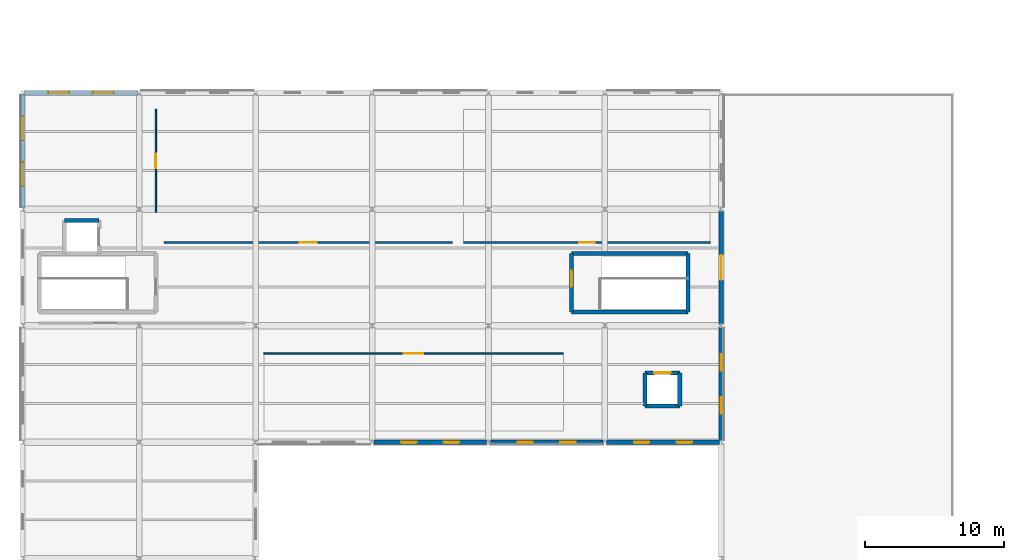
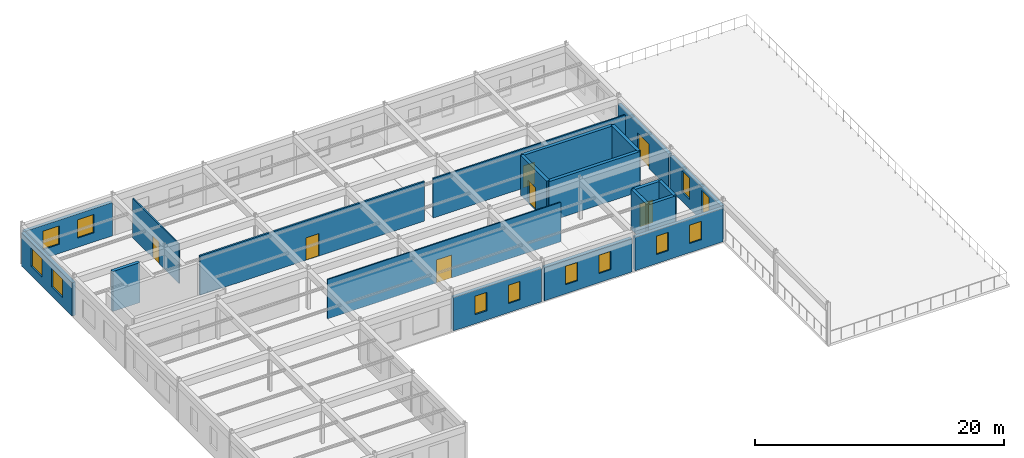
# One storey, part 67 of 83: 20 walls, 12 windows, 7 doors, 19 openings.
"""IFC4 building model written with IfcOpenShell, lengths in metres."""

from ifc_helpers import new_model, si_unit, direction, frame, frame_2d, origin, place, context, subcontext, project, spatial, rectangle, extrude, material, layer, layer_set, type_object, element, fill, save


model = new_model("IFC4")

# Units and contexts
model_context = context("Model", 3, precision=1e-05, world=origin(), true_north=direction((0.0, 1.0)))
body_context = subcontext(model_context, "Body", "Model", "MODEL_VIEW")
ifc_project = project(units=[si_unit("LENGTHUNIT", "METRE"), si_unit("AREAUNIT", "SQUARE_METRE"), si_unit("VOLUMEUNIT", "CUBIC_METRE"), si_unit("PLANEANGLEUNIT", "RADIAN"), si_unit("MASSUNIT", "GRAM", prefix="KILO"), si_unit("THERMODYNAMICTEMPERATUREUNIT", "KELVIN"), si_unit("POWERUNIT", "WATT")], contexts=[model_context])

# Site, building, storey
site_placement = place(None, origin())
site = spatial("IfcSite", under=ifc_project, at=site_placement, CompositionType="ELEMENT")
building_placement = place(site_placement, origin())
building = spatial("IfcBuilding", under=site, at=building_placement, Name="Darbajah Civic Hall", CompositionType="ELEMENT")
storey_placement = place(building_placement, frame((0.0, 0.0, 18.0)))
storey = spatial("IfcBuildingStorey", under=building, at=storey_placement, Name="L04", CompositionType="ELEMENT", Elevation=18.0)

# Walls
ifc_material_1 = material(Name="Concrete C45/55", Category="concrete")
ifc_layer_1 = layer(ifc_material_1, 0.300048828125, Name="Concrete C45/55")
ifc_layer_set_1 = layer_set([ifc_layer_1], Name="Concrete C45/55")
wall_type_1 = type_object("IfcWallType", Name="Core Shear Wall 300mm", PredefinedType="SHEAR", material=ifc_layer_set_1)
wall_1_placement = place(storey_placement, frame((5.5, 32.800048828125, 0.0), z_axis=(0.0, 0.0, 1.0), x_axis=(-1.0, 0.0, 0.0)))
element("IfcWall", 1, at=wall_1_placement, inside=storey, type_object=wall_type_1, Name="L04 lift PL5 shaft wall N", PredefinedType="SHEAR", context=body_context, shape_type="SweptSolid", body=[
    extrude(rectangle(XDim=2.5, YDim=0.300048828125, at=frame_2d((1.25, 0.0))), origin(), (0.0, 0.0, 1.0), 3.919921875),
])
wall_2_placement = place(storey_placement, frame((39.60009765625, 26.199951171875, 0.0), z_axis=(0.0, 0.0, 1.0), x_axis=(1.0, 0.0, 0.0)))
element("IfcWall", 2, at=wall_2_placement, inside=storey, type_object=wall_type_1, Name="L04 core C11 shear wall S", PredefinedType="SHEAR", context=body_context, shape_type="SweptSolid", body=[
    extrude(rectangle(XDim=8.39990234375, YDim=0.300048828125, at=frame_2d((4.199951171875, 0.0))), origin(), (0.0, 0.0, 1.0), 3.919921875),
])
wall_3_placement = place(storey_placement, frame((48.0, 26.199951171875, 0.0), z_axis=(0.0, 0.0, 1.0), x_axis=(0.0, 1.0, 0.0)))
element("IfcWall", 3, at=wall_3_placement, inside=storey, type_object=wall_type_1, Name="L04 core C11 shear wall E", PredefinedType="SHEAR", context=body_context, shape_type="SweptSolid", body=[
    extrude(rectangle(XDim=4.199951171875, YDim=0.300048828125, at=frame_2d((2.10009765625, 0.0))), origin(), (0.0, 0.0, 1.0), 3.919921875),
])
wall_4_placement = place(storey_placement, frame((48.0, 30.39990234375, 0.0), z_axis=(0.0, 0.0, 1.0), x_axis=(-1.0, 0.0, 0.0)))
element("IfcWall", 4, at=wall_4_placement, inside=storey, type_object=wall_type_1, Name="L04 core C11 shear wall N", PredefinedType="SHEAR", context=body_context, shape_type="SweptSolid", body=[
    extrude(rectangle(XDim=8.39990234375, YDim=0.300048828125, at=frame_2d((4.199951171875, 0.0))), origin(), (0.0, 0.0, 1.0), 3.919921875),
])

# Wall, opening, door
wall_5_placement = place(storey_placement, frame((39.60009765625, 30.39990234375, 0.0), z_axis=(0.0, 0.0, 1.0), x_axis=(0.0, -1.0, 0.0)))
wall_5 = element("IfcWall", 5, at=wall_5_placement, inside=storey, type_object=wall_type_1, Name="L04 core C11 shear wall W", PredefinedType="SHEAR", context=body_context, shape_type="SweptSolid", body=[
    extrude(rectangle(XDim=4.199951171875, YDim=0.300048828125, at=frame_2d((2.10009765625, 0.0))), origin(), (0.0, 0.0, 1.0), 3.919921875),
])
opening_1_placement = place(wall_5_placement, frame((1.25, 0.0, 0.0)))
opening_1 = element("IfcOpeningElement", 6, at=opening_1_placement, cuts=wall_5, Name="Opening SD-0125", PredefinedType="OPENING", context=body_context, shape_type="SweptSolid", body=[
    extrude(rectangle(XDim=1.14990234375, YDim=2.199951171875, at=frame_2d((0.574951171875, 1.10009765625))), frame((0.0, 0.159912109375, 0.0), z_axis=(0.0, -1.0, 0.0), x_axis=(1.0, 0.0, 0.0)), (0.0, 0.0, 1.0), 0.320068359375),
])
ifc_material_2 = material(Name="Steel Rated Core Door", Category="steel")
door_type_1 = type_object("IfcDoorType", Name="Interior Door 1150x2200", OperationType="NOTDEFINED", PredefinedType="DOOR", material=ifc_material_2)
door_1_placement = place(opening_1_placement, origin())
door_1 = element("IfcDoor", 7, at=door_1_placement, inside=storey, type_object=door_type_1, Name="L04 stair ST11 fire door SD-0125", OperationType="SINGLE_SWING_RIGHT", OverallHeight=2.199951171875, OverallWidth=1.14990234375, PredefinedType="DOOR", context=body_context, shape_type="SweptSolid", body=[
    extrude(rectangle(XDim=1.14990234375, YDim=2.199951171875, at=frame_2d((0.574951171875, 1.10009765625))), frame((0.0, 0.02490234375, 0.0), z_axis=(0.0, -1.0, 0.0), x_axis=(1.0, 0.0, 0.0)), (0.0, 0.0, 1.0), 0.050048828125),
])
fill(opening_1, door_1)

wall_6_placement = place(storey_placement, frame((47.39990234375, 21.800048828125, 0.0), z_axis=(0.0, 0.0, 1.0), x_axis=(-1.0, 0.0, 0.0)))
wall_6 = element("IfcWall", 8, at=wall_6_placement, inside=storey, type_object=wall_type_1, Name="L04 lift PL6 shaft wall N", PredefinedType="SHEAR", context=body_context, shape_type="SweptSolid", body=[
    extrude(rectangle(XDim=2.5, YDim=0.300048828125, at=frame_2d((1.25, 0.0))), origin(), (0.0, 0.0, 1.0), 3.919921875),
])
opening_2_placement = place(wall_6_placement, frame((0.64990234375, 0.0, 0.0)))
opening_2 = element("IfcOpeningElement", 9, at=opening_2_placement, cuts=wall_6, Name="Opening LD-0131", PredefinedType="OPENING", context=body_context, shape_type="SweptSolid", body=[
    extrude(rectangle(XDim=1.199951171875, YDim=2.25, at=frame_2d((0.60009765625, 1.125))), frame((0.0, 0.159912109375, 0.0), z_axis=(0.0, -1.0, 0.0), x_axis=(1.0, 0.0, 0.0)), (0.0, 0.0, 1.0), 0.320068359375),
])
ifc_material_3 = material(Name="Stainless Lift Landing Door")
door_type_2 = type_object("IfcDoorType", Name="Lift Landing Door 1200x2250", OperationType="SLIDING_TO_LEFT", PredefinedType="DOOR", material=ifc_material_3)
door_2_placement = place(opening_2_placement, origin())
door_2 = element("IfcDoor", 10, at=door_2_placement, inside=storey, type_object=door_type_2, Name="L04 lift PL6 landing door LD-0131", OperationType="SLIDING_TO_LEFT", OverallHeight=2.25, OverallWidth=1.199951171875, PredefinedType="DOOR", context=body_context, shape_type="SweptSolid", body=[
    extrude(rectangle(XDim=1.199951171875, YDim=2.25, at=frame_2d((0.60009765625, 1.125))), frame((0.0, 0.02490234375, 0.0), z_axis=(0.0, -1.0, 0.0), x_axis=(1.0, 0.0, 0.0)), (0.0, 0.0, 1.0), 0.050048828125),
])
fill(opening_2, door_2)

# Walls
wall_7_placement = place(storey_placement, frame((44.89990234375, 19.39990234375, 0.0), z_axis=(0.0, 0.0, 1.0), x_axis=(1.0, 0.0, 0.0)))
element("IfcWall", 11, at=wall_7_placement, inside=storey, type_object=wall_type_1, Name="L04 lift PL6 shaft wall S", PredefinedType="SHEAR", context=body_context, shape_type="SweptSolid", body=[
    extrude(rectangle(XDim=2.5, YDim=0.300048828125, at=frame_2d((1.25, 0.0))), origin(), (0.0, 0.0, 1.0), 3.919921875),
])
for number, where, z_axis, x_axis, name in (
    (12, (44.89990234375, 21.800048828125, 0.0), (0.0, 0.0, 1.0), (0.0, -1.0, 0.0), "L04 lift PL6 shaft wall W"),
    (13, (47.39990234375, 19.39990234375, 0.0), (0.0, 0.0, 1.0), (0.0, 1.0, 0.0), "L04 lift PL6 shaft wall E"),
):
    element("IfcWall", number, at=place(storey_placement, frame(where, z_axis=z_axis, x_axis=x_axis)), inside=storey, type_object=wall_type_1, Name=name, PredefinedType="SHEAR", context=body_context, shape_type="SweptSolid", body=[
        extrude(rectangle(XDim=2.400146484375, YDim=0.300048828125, at=frame_2d((1.2001953125, 0.0))), origin(), (0.0, 0.0, 1.0), 3.919921875),
    ])

# Wall, openings, windows
ifc_material_4 = material(Name="Red Dholpur Sandstone Cladding", Category="masonry")
ifc_layer_2 = layer(ifc_material_4, 0.31005859375, Name="Red Dholpur Sandstone Cladding")
ifc_layer_set_2 = layer_set([ifc_layer_2], Name="Red Dholpur Sandstone Cladding")
wall_type_2 = type_object("IfcWallType", Name="Exterior Wall 310mm", PredefinedType="SOLIDWALL", material=ifc_layer_set_2)
wall_8_placement = place(storey_placement, frame((25.330078125, 16.800048828125, 0.0), z_axis=(0.0, 0.0, 1.0), x_axis=(1.0, 0.0, 0.0)))
wall_8 = element("IfcWall", 14, at=wall_8_placement, inside=storey, type_object=wall_type_2, Name="L04 exterior wall EW-310", PredefinedType="SOLIDWALL", context=body_context, shape_type="SweptSolid", body=[
    extrude(rectangle(XDim=8.139892578125, YDim=0.31005859375, at=frame_2d((4.06982421875, 0.0))), origin(), (0.0, 0.0, 1.0), 3.27001953125),
])
opening_3_placement = place(wall_8_placement, frame((1.97998046875, 0.0, 0.89990234375)))
opening_3 = element("IfcOpeningElement", 15, at=opening_3_placement, cuts=wall_8, Name="Opening WN-17", PredefinedType="OPENING", context=body_context, shape_type="SweptSolid", body=[
    extrude(rectangle(XDim=1.10009765625, YDim=1.800048828125, at=frame_2d((0.550048828125, 0.89990234375))), frame((0.0, 0.1650390625, 0.0), z_axis=(0.0, -1.0, 0.0), x_axis=(1.0, 0.0, 0.0)), (0.0, 0.0, 1.0), 0.330078125),
])
opening_4_placement = place(wall_8_placement, frame((5.059814453125, 0.0, 0.89990234375)))
opening_4 = element("IfcOpeningElement", 16, at=opening_4_placement, cuts=wall_8, Name="Opening WN-17", PredefinedType="OPENING", context=body_context, shape_type="SweptSolid", body=[
    extrude(rectangle(XDim=1.10009765625, YDim=1.800048828125, at=frame_2d((0.550048828125, 0.89990234375))), frame((0.0, 0.1650390625, 0.0), z_axis=(0.0, -1.0, 0.0), x_axis=(1.0, 0.0, 0.0)), (0.0, 0.0, 1.0), 0.330078125),
])
ifc_material_5 = material(Name="Low-E Solar Control Double Glazing", Category="glass")
window_type_1 = type_object("IfcWindowType", Name="Facade Window 1100x1800", PartitioningType="SINGLE_PANEL", PredefinedType="WINDOW", material=ifc_material_5)
window_1_placement = place(opening_3_placement, origin())
window_1 = element("IfcWindow", 17, at=window_1_placement, inside=storey, type_object=window_type_1, Name="L04 facade window WN-17", OverallHeight=1.800048828125, OverallWidth=1.10009765625, PartitioningType="SINGLE_PANEL", PredefinedType="WINDOW", context=body_context, shape_type="SweptSolid", body=[
    extrude(rectangle(XDim=1.10009765625, YDim=1.800048828125, at=frame_2d((0.550048828125, 0.89990234375))), frame((0.0, 0.030029296875, 0.0), z_axis=(0.0, -1.0, 0.0), x_axis=(1.0, 0.0, 0.0)), (0.0, 0.0, 1.0), 0.06005859375),
])
fill(opening_3, window_1)
window_2_placement = place(opening_4_placement, origin())
window_2 = element("IfcWindow", 18, at=window_2_placement, inside=storey, type_object=window_type_1, Name="L04 facade window WN-17", OverallHeight=1.800048828125, OverallWidth=1.10009765625, PartitioningType="SINGLE_PANEL", PredefinedType="WINDOW", context=body_context, shape_type="SweptSolid", body=[
    extrude(rectangle(XDim=1.10009765625, YDim=1.800048828125, at=frame_2d((0.550048828125, 0.89990234375))), frame((0.0, 0.030029296875, 0.0), z_axis=(0.0, -1.0, 0.0), x_axis=(1.0, 0.0, 0.0)), (0.0, 0.0, 1.0), 0.06005859375),
])
fill(opening_4, window_2)

wall_9_placement = place(storey_placement, frame((33.72998046875, 16.800048828125, 0.0), z_axis=(0.0, 0.0, 1.0), x_axis=(1.0, 0.0, 0.0)))
wall_9 = element("IfcWall", 19, at=wall_9_placement, inside=storey, type_object=wall_type_2, Name="L04 exterior wall EW-310", PredefinedType="SOLIDWALL", context=body_context, shape_type="SweptSolid", body=[
    extrude(rectangle(XDim=8.139892578125, YDim=0.31005859375, at=frame_2d((4.06982421875, 0.0))), origin(), (0.0, 0.0, 1.0), 3.27001953125),
])
opening_5_placement = place(wall_9_placement, frame((1.97998046875, 0.0, 0.89990234375)))
opening_5 = element("IfcOpeningElement", 20, at=opening_5_placement, cuts=wall_9, Name="Opening WN-17", PredefinedType="OPENING", context=body_context, shape_type="SweptSolid", body=[
    extrude(rectangle(XDim=1.10009765625, YDim=1.800048828125, at=frame_2d((0.550048828125, 0.89990234375))), frame((0.0, 0.1650390625, 0.0), z_axis=(0.0, -1.0, 0.0), x_axis=(1.0, 0.0, 0.0)), (0.0, 0.0, 1.0), 0.330078125),
])
opening_6_placement = place(wall_9_placement, frame((5.059814453125, 0.0, 0.89990234375)))
opening_6 = element("IfcOpeningElement", 21, at=opening_6_placement, cuts=wall_9, Name="Opening WN-17", PredefinedType="OPENING", context=body_context, shape_type="SweptSolid", body=[
    extrude(rectangle(XDim=1.10009765625, YDim=1.800048828125, at=frame_2d((0.550048828125, 0.89990234375))), frame((0.0, 0.1650390625, 0.0), z_axis=(0.0, -1.0, 0.0), x_axis=(1.0, 0.0, 0.0)), (0.0, 0.0, 1.0), 0.330078125),
])
window_3_placement = place(opening_5_placement, origin())
window_3 = element("IfcWindow", 22, at=window_3_placement, inside=storey, type_object=window_type_1, Name="L04 facade window WN-17", OverallHeight=1.800048828125, OverallWidth=1.10009765625, PartitioningType="SINGLE_PANEL", PredefinedType="WINDOW", context=body_context, shape_type="SweptSolid", body=[
    extrude(rectangle(XDim=1.10009765625, YDim=1.800048828125, at=frame_2d((0.550048828125, 0.89990234375))), frame((0.0, 0.030029296875, 0.0), z_axis=(0.0, -1.0, 0.0), x_axis=(1.0, 0.0, 0.0)), (0.0, 0.0, 1.0), 0.06005859375),
])
fill(opening_5, window_3)
window_4_placement = place(opening_6_placement, origin())
window_4 = element("IfcWindow", 23, at=window_4_placement, inside=storey, type_object=window_type_1, Name="L04 facade window WN-17", OverallHeight=1.800048828125, OverallWidth=1.10009765625, PartitioningType="SINGLE_PANEL", PredefinedType="WINDOW", context=body_context, shape_type="SweptSolid", body=[
    extrude(rectangle(XDim=1.10009765625, YDim=1.800048828125, at=frame_2d((0.550048828125, 0.89990234375))), frame((0.0, 0.030029296875, 0.0), z_axis=(0.0, -1.0, 0.0), x_axis=(1.0, 0.0, 0.0)), (0.0, 0.0, 1.0), 0.06005859375),
])
fill(opening_6, window_4)

wall_10_placement = place(storey_placement, frame((42.130126953125, 16.800048828125, 0.0), z_axis=(0.0, 0.0, 1.0), x_axis=(1.0, 0.0, 0.0)))
wall_10 = element("IfcWall", 24, at=wall_10_placement, inside=storey, type_object=wall_type_2, Name="L04 exterior wall EW-310", PredefinedType="SOLIDWALL", context=body_context, shape_type="SweptSolid", body=[
    extrude(rectangle(XDim=8.139892578125, YDim=0.31005859375, at=frame_2d((4.06982421875, 0.0))), origin(), (0.0, 0.0, 1.0), 3.27001953125),
])
opening_7_placement = place(wall_10_placement, frame((1.97998046875, 0.0, 0.89990234375)))
opening_7 = element("IfcOpeningElement", 25, at=opening_7_placement, cuts=wall_10, Name="Opening WN-17", PredefinedType="OPENING", context=body_context, shape_type="SweptSolid", body=[
    extrude(rectangle(XDim=1.10009765625, YDim=1.800048828125, at=frame_2d((0.550048828125, 0.89990234375))), frame((0.0, 0.1650390625, 0.0), z_axis=(0.0, -1.0, 0.0), x_axis=(1.0, 0.0, 0.0)), (0.0, 0.0, 1.0), 0.330078125),
])
opening_8_placement = place(wall_10_placement, frame((5.059814453125, 0.0, 0.89990234375)))
opening_8 = element("IfcOpeningElement", 26, at=opening_8_placement, cuts=wall_10, Name="Opening WN-17", PredefinedType="OPENING", context=body_context, shape_type="SweptSolid", body=[
    extrude(rectangle(XDim=1.10009765625, YDim=1.800048828125, at=frame_2d((0.550048828125, 0.89990234375))), frame((0.0, 0.1650390625, 0.0), z_axis=(0.0, -1.0, 0.0), x_axis=(1.0, 0.0, 0.0)), (0.0, 0.0, 1.0), 0.330078125),
])
window_5_placement = place(opening_7_placement, origin())
window_5 = element("IfcWindow", 27, at=window_5_placement, inside=storey, type_object=window_type_1, Name="L04 facade window WN-17", OverallHeight=1.800048828125, OverallWidth=1.10009765625, PartitioningType="SINGLE_PANEL", PredefinedType="WINDOW", context=body_context, shape_type="SweptSolid", body=[
    extrude(rectangle(XDim=1.10009765625, YDim=1.800048828125, at=frame_2d((0.550048828125, 0.89990234375))), frame((0.0, 0.030029296875, 0.0), z_axis=(0.0, -1.0, 0.0), x_axis=(1.0, 0.0, 0.0)), (0.0, 0.0, 1.0), 0.06005859375),
])
fill(opening_7, window_5)
window_6_placement = place(opening_8_placement, origin())
window_6 = element("IfcWindow", 28, at=window_6_placement, inside=storey, type_object=window_type_1, Name="L04 facade window WN-17", OverallHeight=1.800048828125, OverallWidth=1.10009765625, PartitioningType="SINGLE_PANEL", PredefinedType="WINDOW", context=body_context, shape_type="SweptSolid", body=[
    extrude(rectangle(XDim=1.10009765625, YDim=1.800048828125, at=frame_2d((0.550048828125, 0.89990234375))), frame((0.0, 0.030029296875, 0.0), z_axis=(0.0, -1.0, 0.0), x_axis=(1.0, 0.0, 0.0)), (0.0, 0.0, 1.0), 0.06005859375),
])
fill(opening_8, window_6)

wall_11_placement = place(storey_placement, frame((50.39990234375, 16.93212890625, 0.0), z_axis=(0.0, 0.0, 1.0), x_axis=(0.0, 1.0, 0.0)))
wall_11 = element("IfcWall", 29, at=wall_11_placement, inside=storey, type_object=wall_type_2, Name="L04 exterior wall EW-310", PredefinedType="SOLIDWALL", context=body_context, shape_type="SweptSolid", body=[
    extrude(rectangle(XDim=8.1357421875, YDim=0.31005859375, at=frame_2d((4.06787109375, 0.0))), origin(), (0.0, 0.0, 1.0), 3.320068359375),
])
opening_9_placement = place(wall_11_placement, frame((1.911865234375, 0.0, 0.89990234375)))
opening_9 = element("IfcOpeningElement", 30, at=opening_9_placement, cuts=wall_11, Name="Opening WN-01", PredefinedType="OPENING", context=body_context, shape_type="SweptSolid", body=[
    extrude(rectangle(XDim=1.199951171875, YDim=2.10009765625, at=frame_2d((0.60009765625, 1.050048828125))), frame((0.0, 0.1650390625, 0.0), z_axis=(0.0, -1.0, 0.0), x_axis=(1.0, 0.0, 0.0)), (0.0, 0.0, 1.0), 0.330078125),
])
opening_10_placement = place(wall_11_placement, frame((5.02392578125, 0.0, 0.89990234375)))
opening_10 = element("IfcOpeningElement", 31, at=opening_10_placement, cuts=wall_11, Name="Opening WN-01", PredefinedType="OPENING", context=body_context, shape_type="SweptSolid", body=[
    extrude(rectangle(XDim=1.199951171875, YDim=2.10009765625, at=frame_2d((0.60009765625, 1.050048828125))), frame((0.0, 0.1650390625, 0.0), z_axis=(0.0, -1.0, 0.0), x_axis=(1.0, 0.0, 0.0)), (0.0, 0.0, 1.0), 0.330078125),
])
window_type_2 = type_object("IfcWindowType", Name="Facade Window 1200x2100", PartitioningType="SINGLE_PANEL", PredefinedType="WINDOW", material=ifc_material_5)
window_7_placement = place(opening_9_placement, origin())
window_7 = element("IfcWindow", 32, at=window_7_placement, inside=storey, type_object=window_type_2, Name="L04 facade window WN-01", OverallHeight=2.10009765625, OverallWidth=1.199951171875, PartitioningType="SINGLE_PANEL", PredefinedType="WINDOW", context=body_context, shape_type="SweptSolid", body=[
    extrude(rectangle(XDim=1.199951171875, YDim=2.10009765625, at=frame_2d((0.60009765625, 1.050048828125))), frame((0.0, 0.030029296875, 0.0), z_axis=(0.0, -1.0, 0.0), x_axis=(1.0, 0.0, 0.0)), (0.0, 0.0, 1.0), 0.06005859375),
])
fill(opening_9, window_7)
window_8_placement = place(opening_10_placement, origin())
window_8 = element("IfcWindow", 33, at=window_8_placement, inside=storey, type_object=window_type_2, Name="L04 facade window WN-01", OverallHeight=2.10009765625, OverallWidth=1.199951171875, PartitioningType="SINGLE_PANEL", PredefinedType="WINDOW", context=body_context, shape_type="SweptSolid", body=[
    extrude(rectangle(XDim=1.199951171875, YDim=2.10009765625, at=frame_2d((0.60009765625, 1.050048828125))), frame((0.0, 0.030029296875, 0.0), z_axis=(0.0, -1.0, 0.0), x_axis=(1.0, 0.0, 0.0)), (0.0, 0.0, 1.0), 0.06005859375),
])
fill(opening_10, window_8)

# Wall, opening, door
wall_12_placement = place(storey_placement, frame((50.39990234375, 25.33203125, 0.0), z_axis=(0.0, 0.0, 1.0), x_axis=(0.0, 1.0, 0.0)))
wall_12 = element("IfcWall", 34, at=wall_12_placement, inside=storey, type_object=wall_type_2, Name="L04 exterior wall EW-310", PredefinedType="SOLIDWALL", context=body_context, shape_type="SweptSolid", body=[
    extrude(rectangle(XDim=8.135986328125, YDim=0.31005859375, at=frame_2d((4.06787109375, 0.0))), origin(), (0.0, 0.0, 1.0), 3.320068359375),
])
opening_11_placement = place(wall_12_placement, frame((3.16796875, 0.0, 0.0)))
opening_11 = element("IfcOpeningElement", 35, at=opening_11_placement, cuts=wall_12, Name="Opening E-018", PredefinedType="OPENING", context=body_context, shape_type="SweptSolid", body=[
    extrude(rectangle(XDim=1.800048828125, YDim=2.39990234375, at=frame_2d((0.89990234375, 1.199951171875))), frame((0.0, 0.1650390625, 0.0), z_axis=(0.0, -1.0, 0.0), x_axis=(1.0, 0.0, 0.0)), (0.0, 0.0, 1.0), 0.330078125),
])
ifc_material_6 = material(Name="Anodised Bronze Aluminium and Laminated Glass", Category="aluminium")
door_type_3 = type_object("IfcDoorType", Name="Exterior Door 1800x2400", OperationType="NOTDEFINED", PredefinedType="DOOR", material=ifc_material_6)
door_3_placement = place(opening_11_placement, frame((1.800048828125, 0.0, 0.0), z_axis=(0.0, 0.0, 1.0), x_axis=(-1.0, 0.0, 0.0)))
door_3 = element("IfcDoor", 36, at=door_3_placement, inside=storey, type_object=door_type_3, Name="Cloister Garden Terrace Door E-018", OperationType="DOUBLE_DOOR_SINGLE_SWING", OverallHeight=2.39990234375, OverallWidth=1.800048828125, PredefinedType="DOOR", context=body_context, shape_type="SweptSolid", body=[
    extrude(rectangle(XDim=1.800048828125, YDim=2.39990234375, at=frame_2d((0.89990234375, 1.199951171875))), frame((0.0, 0.02490234375, 0.0), z_axis=(0.0, -1.0, 0.0), x_axis=(1.0, 0.0, 0.0)), (0.0, 0.0, 1.0), 0.050048828125),
])
fill(opening_11, door_3)

# Wall, openings, windows
wall_13_placement = place(storey_placement, frame((8.27001953125, 42.0, 0.0), z_axis=(0.0, 0.0, 1.0), x_axis=(-1.0, 0.0, 0.0)))
wall_13 = element("IfcWall", 37, at=wall_13_placement, inside=storey, type_object=wall_type_2, Name="L04 exterior wall EW-310", PredefinedType="SOLIDWALL", context=body_context, shape_type="SweptSolid", body=[
    extrude(rectangle(XDim=8.139892578125, YDim=0.31005859375, at=frame_2d((4.06982421875, 0.0))), origin(), (0.0, 0.0, 1.0), 3.27001953125),
])
opening_12_placement = place(wall_13_placement, frame((1.71337890625, 0.0, 0.89990234375)))
opening_12 = element("IfcOpeningElement", 38, at=opening_12_placement, cuts=wall_13, Name="Opening WN-19", PredefinedType="OPENING", context=body_context, shape_type="SweptSolid", body=[
    extrude(rectangle(XDim=1.5, YDim=1.800048828125, at=frame_2d((0.75, 0.89990234375))), frame((0.0, 0.1650390625, 0.0), z_axis=(0.0, -1.0, 0.0), x_axis=(1.0, 0.0, 0.0)), (0.0, 0.0, 1.0), 0.330078125),
])
opening_13_placement = place(wall_13_placement, frame((4.926513671875, 0.0, 0.89990234375)))
opening_13 = element("IfcOpeningElement", 39, at=opening_13_placement, cuts=wall_13, Name="Opening WN-19", PredefinedType="OPENING", context=body_context, shape_type="SweptSolid", body=[
    extrude(rectangle(XDim=1.5, YDim=1.800048828125, at=frame_2d((0.75, 0.89990234375))), frame((0.0, 0.1650390625, 0.0), z_axis=(0.0, -1.0, 0.0), x_axis=(1.0, 0.0, 0.0)), (0.0, 0.0, 1.0), 0.330078125),
])
window_type_3 = type_object("IfcWindowType", Name="Facade Window 1500x1800", PartitioningType="SINGLE_PANEL", PredefinedType="WINDOW", material=ifc_material_5)
window_9_placement = place(opening_12_placement, origin())
window_9 = element("IfcWindow", 40, at=window_9_placement, inside=storey, type_object=window_type_3, Name="L04 facade window WN-19", OverallHeight=1.800048828125, OverallWidth=1.5, PartitioningType="SINGLE_PANEL", PredefinedType="WINDOW", context=body_context, shape_type="SweptSolid", body=[
    extrude(rectangle(XDim=1.5, YDim=1.800048828125, at=frame_2d((0.75, 0.89990234375))), frame((0.0, 0.030029296875, 0.0), z_axis=(0.0, -1.0, 0.0), x_axis=(1.0, 0.0, 0.0)), (0.0, 0.0, 1.0), 0.06005859375),
])
fill(opening_12, window_9)
window_10_placement = place(opening_13_placement, origin())
window_10 = element("IfcWindow", 41, at=window_10_placement, inside=storey, type_object=window_type_3, Name="L04 facade window WN-19", OverallHeight=1.800048828125, OverallWidth=1.5, PartitioningType="SINGLE_PANEL", PredefinedType="WINDOW", context=body_context, shape_type="SweptSolid", body=[
    extrude(rectangle(XDim=1.5, YDim=1.800048828125, at=frame_2d((0.75, 0.89990234375))), frame((0.0, 0.030029296875, 0.0), z_axis=(0.0, -1.0, 0.0), x_axis=(1.0, 0.0, 0.0)), (0.0, 0.0, 1.0), 0.06005859375),
])
fill(opening_13, window_10)

wall_14_placement = place(storey_placement, frame((0.0, 41.867919921875, 0.0), z_axis=(0.0, 0.0, 1.0), x_axis=(0.0, -1.0, 0.0)))
wall_14 = element("IfcWall", 42, at=wall_14_placement, inside=storey, type_object=wall_type_2, Name="L04 exterior wall EW-310", PredefinedType="SOLIDWALL", context=body_context, shape_type="SweptSolid", body=[
    extrude(rectangle(XDim=8.1357421875, YDim=0.31005859375, at=frame_2d((4.06787109375, 0.0))), origin(), (0.0, 0.0, 1.0), 3.27001953125),
])
opening_14_placement = place(wall_14_placement, frame((1.54541015625, 0.0, 0.89990234375)))
opening_14 = element("IfcOpeningElement", 43, at=opening_14_placement, cuts=wall_14, Name="Opening WN-20", PredefinedType="OPENING", context=body_context, shape_type="SweptSolid", body=[
    extrude(rectangle(XDim=1.75, YDim=1.800048828125, at=frame_2d((0.875, 0.89990234375))), frame((0.0, 0.1650390625, 0.0), z_axis=(0.0, -1.0, 0.0), x_axis=(1.0, 0.0, 0.0)), (0.0, 0.0, 1.0), 0.330078125),
])
opening_15_placement = place(wall_14_placement, frame((4.840576171875, 0.0, 0.89990234375)))
opening_15 = element("IfcOpeningElement", 44, at=opening_15_placement, cuts=wall_14, Name="Opening WN-20", PredefinedType="OPENING", context=body_context, shape_type="SweptSolid", body=[
    extrude(rectangle(XDim=1.75, YDim=1.800048828125, at=frame_2d((0.875, 0.89990234375))), frame((0.0, 0.1650390625, 0.0), z_axis=(0.0, -1.0, 0.0), x_axis=(1.0, 0.0, 0.0)), (0.0, 0.0, 1.0), 0.330078125),
])
window_type_4 = type_object("IfcWindowType", Name="Facade Window 1750x1800", PartitioningType="DOUBLE_PANEL_VERTICAL", PredefinedType="WINDOW", material=ifc_material_5)
window_11_placement = place(opening_14_placement, origin())
window_11 = element("IfcWindow", 45, at=window_11_placement, inside=storey, type_object=window_type_4, Name="L04 facade window WN-20", OverallHeight=1.800048828125, OverallWidth=1.75, PartitioningType="SINGLE_PANEL", PredefinedType="WINDOW", context=body_context, shape_type="SweptSolid", body=[
    extrude(rectangle(XDim=1.75, YDim=1.800048828125, at=frame_2d((0.875, 0.89990234375))), frame((0.0, 0.030029296875, 0.0), z_axis=(0.0, -1.0, 0.0), x_axis=(1.0, 0.0, 0.0)), (0.0, 0.0, 1.0), 0.06005859375),
])
fill(opening_14, window_11)
window_12_placement = place(opening_15_placement, origin())
window_12 = element("IfcWindow", 46, at=window_12_placement, inside=storey, type_object=window_type_4, Name="L04 facade window WN-20", OverallHeight=1.800048828125, OverallWidth=1.75, PartitioningType="SINGLE_PANEL", PredefinedType="WINDOW", context=body_context, shape_type="SweptSolid", body=[
    extrude(rectangle(XDim=1.75, YDim=1.800048828125, at=frame_2d((0.875, 0.89990234375))), frame((0.0, 0.030029296875, 0.0), z_axis=(0.0, -1.0, 0.0), x_axis=(1.0, 0.0, 0.0)), (0.0, 0.0, 1.0), 0.06005859375),
])
fill(opening_15, window_12)

# Wall, opening, door
ifc_material_7 = material(Name="Acoustic Gypsum Partition")
ifc_layer_3 = layer(ifc_material_7, 0.114990234375, Name="Acoustic Gypsum Partition")
ifc_layer_set_3 = layer_set([ifc_layer_3], Name="Acoustic Gypsum Partition")
wall_type_3 = type_object("IfcWallType", Name="Interior Partition 115mm", PredefinedType="PARTITIONING", material=ifc_layer_set_3)
wall_15_placement = place(storey_placement, frame((17.39990234375, 23.199951171875, 0.0), z_axis=(0.0, 0.0, 1.0), x_axis=(1.0, 0.0, 0.0)))
wall_15 = element("IfcWall", 47, at=wall_15_placement, inside=storey, type_object=wall_type_3, Name="L04 interior partition L04-V5-02", PredefinedType="PARTITIONING", context=body_context, shape_type="SweptSolid", body=[
    extrude(rectangle(XDim=21.60009765625, YDim=0.114990234375, at=frame_2d((10.800048828125, 0.0))), origin(), (0.0, 0.0, 1.0), 3.860107421875),
])
opening_16_placement = place(wall_15_placement, frame((10.10009765625, 0.0, 0.0)))
opening_16 = element("IfcOpeningElement", 48, at=opening_16_placement, cuts=wall_15, Name="Opening D-0253", PredefinedType="OPENING", context=body_context, shape_type="SweptSolid", body=[
    extrude(rectangle(XDim=1.39990234375, YDim=2.25, at=frame_2d((0.699951171875, 1.125))), frame((0.0, 0.0673828125, 0.0), z_axis=(0.0, -1.0, 0.0), x_axis=(1.0, 0.0, 0.0)), (0.0, 0.0, 1.0), 0.135009765625),
])
ifc_material_8 = material(Name="Painted Hardwood Fire Door", Category="wood")
door_type_4 = type_object("IfcDoorType", Name="Interior Door 1400x2250", OperationType="NOTDEFINED", PredefinedType="DOOR", material=ifc_material_8)
door_4_placement = place(opening_16_placement, origin())
door_4 = element("IfcDoor", 49, at=door_4_placement, inside=storey, type_object=door_type_4, Name="L04 L04-V5-02 door D-0253", OperationType="SINGLE_SWING_RIGHT", OverallHeight=2.25, OverallWidth=1.39990234375, PredefinedType="DOOR", context=body_context, shape_type="SweptSolid", body=[
    extrude(rectangle(XDim=1.39990234375, YDim=2.25, at=frame_2d((0.699951171875, 1.125))), frame((0.0, 0.02490234375, 0.0), z_axis=(0.0, -1.0, 0.0), x_axis=(1.0, 0.0, 0.0)), (0.0, 0.0, 1.0), 0.050048828125),
])
fill(opening_16, door_4)

wall_16_placement = place(storey_placement, frame((9.60009765625, 33.39990234375, 0.0), z_axis=(0.0, 0.0, 1.0), x_axis=(0.0, 1.0, 0.0)))
wall_16 = element("IfcWall", 50, at=wall_16_placement, inside=storey, type_object=wall_type_3, Name="L04 interior partition L04-V5-05", PredefinedType="PARTITIONING", context=body_context, shape_type="SweptSolid", body=[
    extrude(rectangle(XDim=7.400146484375, YDim=0.114990234375, at=frame_2d((3.7001953125, 0.0))), origin(), (0.0, 0.0, 1.0), 3.860107421875),
])
opening_17_placement = place(wall_16_placement, frame((3.175048828125, 0.0, 0.0)))
opening_17 = element("IfcOpeningElement", 51, at=opening_17_placement, cuts=wall_16, Name="Opening D-0256", PredefinedType="OPENING", context=body_context, shape_type="SweptSolid", body=[
    extrude(rectangle(XDim=1.050048828125, YDim=2.14990234375, at=frame_2d((0.52490234375, 1.074951171875))), frame((0.0, 0.0673828125, 0.0), z_axis=(0.0, -1.0, 0.0), x_axis=(1.0, 0.0, 0.0)), (0.0, 0.0, 1.0), 0.135009765625),
])
ifc_material_9 = material(Name="Acoustic Oak Office Door")
door_type_5 = type_object("IfcDoorType", Name="Interior Door 1050x2150", OperationType="NOTDEFINED", PredefinedType="DOOR", material=ifc_material_9)
door_5_placement = place(opening_17_placement, origin())
door_5 = element("IfcDoor", 52, at=door_5_placement, inside=storey, type_object=door_type_5, Name="L04 L04-V5-05 door D-0256", OperationType="SINGLE_SWING_LEFT", OverallHeight=2.14990234375, OverallWidth=1.050048828125, PredefinedType="DOOR", context=body_context, shape_type="SweptSolid", body=[
    extrude(rectangle(XDim=1.050048828125, YDim=2.14990234375, at=frame_2d((0.52490234375, 1.074951171875))), frame((0.0, 0.02490234375, 0.0), z_axis=(0.0, -1.0, 0.0), x_axis=(1.0, 0.0, 0.0)), (0.0, 0.0, 1.0), 0.050048828125),
])
fill(opening_17, door_5)

ifc_material_10 = material(Name="Gypsum Plasterboard on Steel Stud", Category="steel")
ifc_layer_4 = layer(ifc_material_10, 0.135009765625, Name="Gypsum Plasterboard on Steel Stud")
ifc_layer_set_4 = layer_set([ifc_layer_4], Name="Gypsum Plasterboard on Steel Stud")
wall_type_4 = type_object("IfcWallType", Name="Interior Partition 135mm", PredefinedType="PARTITIONING", material=ifc_layer_set_4)
wall_17_placement = place(storey_placement, frame((31.800048828125, 31.199951171875, 0.0), z_axis=(0.0, 0.0, 1.0), x_axis=(1.0, 0.0, 0.0)))
wall_17 = element("IfcWall", 53, at=wall_17_placement, inside=storey, type_object=wall_type_4, Name="L04 interior partition L04-V5-04", PredefinedType="PARTITIONING", context=body_context, shape_type="SweptSolid", body=[
    extrude(rectangle(XDim=17.800048828125, YDim=0.135009765625, at=frame_2d((8.89990234375, 0.0))), origin(), (0.0, 0.0, 1.0), 3.860107421875),
])
opening_18_placement = place(wall_17_placement, frame((8.35009765625, 0.0, 0.0)))
opening_18 = element("IfcOpeningElement", 54, at=opening_18_placement, cuts=wall_17, Name="Opening D-0255", PredefinedType="OPENING", context=body_context, shape_type="SweptSolid", body=[
    extrude(rectangle(XDim=1.10009765625, YDim=2.14990234375, at=frame_2d((0.550048828125, 1.074951171875))), frame((0.0, 0.077392578125, 0.0), z_axis=(0.0, -1.0, 0.0), x_axis=(1.0, 0.0, 0.0)), (0.0, 0.0, 1.0), 0.155029296875),
])
door_type_6 = type_object("IfcDoorType", Name="Interior Door 1100x2150", OperationType="NOTDEFINED", PredefinedType="DOOR", material=ifc_material_9)
door_6_placement = place(opening_18_placement, origin())
door_6 = element("IfcDoor", 55, at=door_6_placement, inside=storey, type_object=door_type_6, Name="L04 L04-V5-04 door D-0255", OperationType="SINGLE_SWING_RIGHT", OverallHeight=2.14990234375, OverallWidth=1.10009765625, PredefinedType="DOOR", context=body_context, shape_type="SweptSolid", body=[
    extrude(rectangle(XDim=1.10009765625, YDim=2.14990234375, at=frame_2d((0.550048828125, 1.074951171875))), frame((0.0, 0.02490234375, 0.0), z_axis=(0.0, -1.0, 0.0), x_axis=(1.0, 0.0, 0.0)), (0.0, 0.0, 1.0), 0.050048828125),
])
fill(opening_18, door_6)

ifc_layer_5 = layer(ifc_material_10, 0.159912109375, Name="Gypsum Plasterboard on Steel Stud")
ifc_layer_set_5 = layer_set([ifc_layer_5], Name="Gypsum Plasterboard on Steel Stud")
wall_type_5 = type_object("IfcWallType", Name="Interior Partition 160mm", PredefinedType="PARTITIONING", material=ifc_layer_set_5)
wall_18_placement = place(storey_placement, frame((10.199951171875, 31.199951171875, 0.0), z_axis=(0.0, 0.0, 1.0), x_axis=(1.0, 0.0, 0.0)))
wall_18 = element("IfcWall", 56, at=wall_18_placement, inside=storey, type_object=wall_type_5, Name="L04 interior partition L04-V5-03", PredefinedType="PARTITIONING", context=body_context, shape_type="SweptSolid", body=[
    extrude(rectangle(XDim=20.800048828125, YDim=0.159912109375, at=frame_2d((10.39990234375, 0.0))), origin(), (0.0, 0.0, 1.0), 3.860107421875),
])
opening_19_placement = place(wall_18_placement, frame((9.800048828125, 0.0, 0.0)))
opening_19 = element("IfcOpeningElement", 57, at=opening_19_placement, cuts=wall_18, Name="Opening D-0254", PredefinedType="OPENING", context=body_context, shape_type="SweptSolid", body=[
    extrude(rectangle(XDim=1.199951171875, YDim=2.199951171875, at=frame_2d((0.60009765625, 1.10009765625))), frame((0.0, 0.08984375, 0.0), z_axis=(0.0, -1.0, 0.0), x_axis=(1.0, 0.0, 0.0)), (0.0, 0.0, 1.0), 0.179931640625),
])
door_type_7 = type_object("IfcDoorType", Name="Interior Door 1200x2200", OperationType="NOTDEFINED", PredefinedType="DOOR", material=ifc_material_8)
door_7_placement = place(opening_19_placement, origin())
door_7 = element("IfcDoor", 58, at=door_7_placement, inside=storey, type_object=door_type_7, Name="L04 L04-V5-03 door D-0254", OperationType="SINGLE_SWING_LEFT", OverallHeight=2.199951171875, OverallWidth=1.199951171875, PredefinedType="DOOR", context=body_context, shape_type="SweptSolid", body=[
    extrude(rectangle(XDim=1.199951171875, YDim=2.199951171875, at=frame_2d((0.60009765625, 1.10009765625))), frame((0.0, 0.02490234375, 0.0), z_axis=(0.0, -1.0, 0.0), x_axis=(1.0, 0.0, 0.0)), (0.0, 0.0, 1.0), 0.050048828125),
])
fill(opening_19, door_7)

save(model, "model.ifc")
